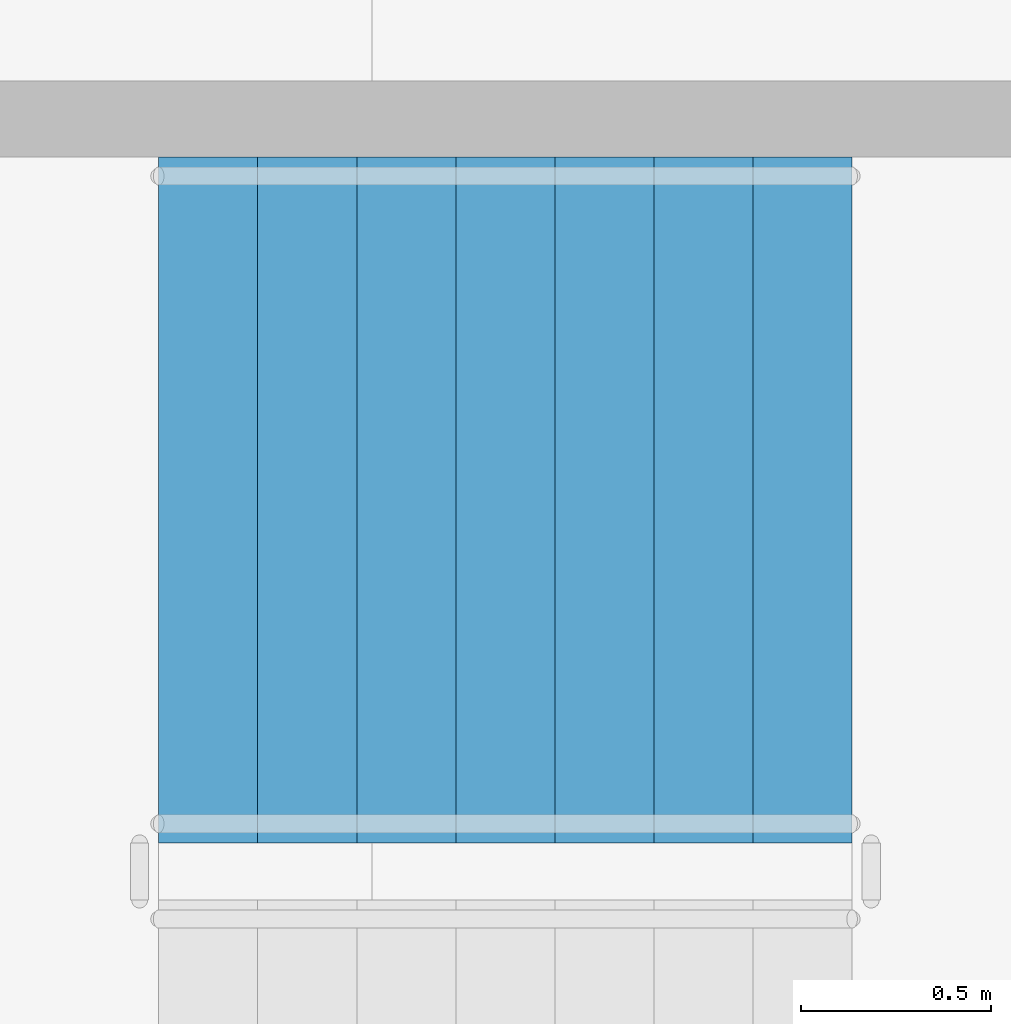
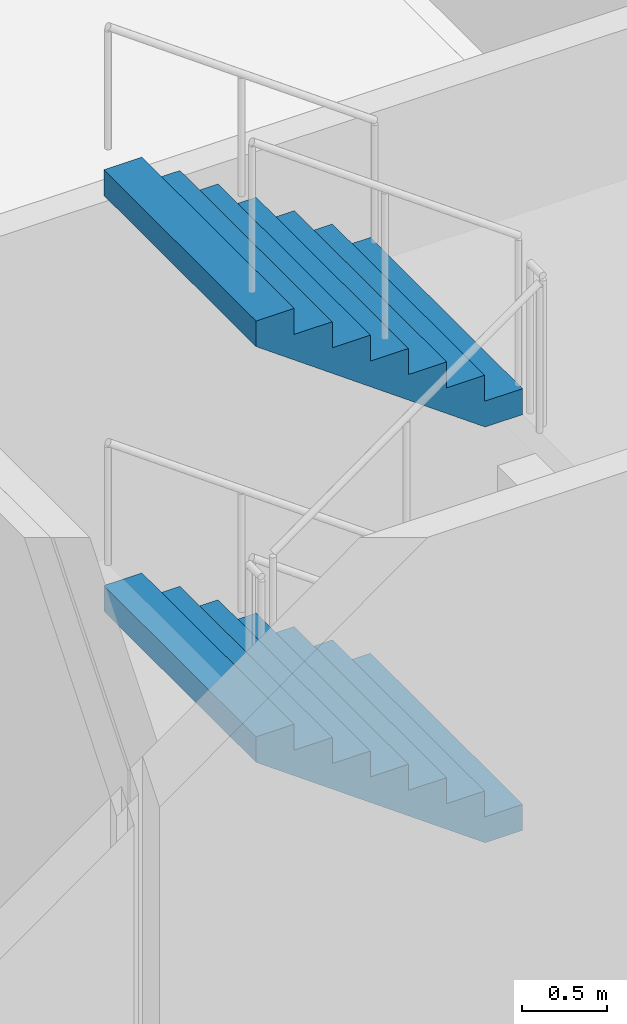
# One storey, part 63 of 75: 2 stair flights, 1 element without a shape of its own.
"""IFC4 building model written with IfcOpenShell, lengths in metres."""

from ifc_helpers import new_model, si_unit, direction, frame, origin, place, context, subcontext, project, spatial, faceted_brep, material, type_object, element, aggregate, save


model = new_model("IFC4")

# Units and contexts
model_context = context("Model", 3, precision=1e-05, world=origin(), true_north=direction((0.0, 1.0)))
body_context = subcontext(model_context, "Body", "Model", "MODEL_VIEW")
ifc_project = project(units=[si_unit("LENGTHUNIT", "METRE"), si_unit("AREAUNIT", "SQUARE_METRE"), si_unit("VOLUMEUNIT", "CUBIC_METRE"), si_unit("PLANEANGLEUNIT", "RADIAN"), si_unit("MASSUNIT", "GRAM", prefix="KILO")], contexts=[model_context])

# Site, building, storey
site_placement = place(None, origin())
site = spatial("IfcSite", under=ifc_project, at=site_placement, CompositionType="ELEMENT")
building_placement = place(site_placement, origin())
building = spatial("IfcBuilding", under=site, at=building_placement, Name="Ipe Terrace Towers", CompositionType="ELEMENT")
storey_placement = place(building_placement, origin())
storey = spatial("IfcBuildingStorey", under=building, at=storey_placement, Name="L00", CompositionType="ELEMENT", Elevation=0.0)

# Stair, stair flights
ifc_material_1 = material(Name="Concrete C30/37", Category="concrete")
stair_type = type_object("IfcStairType", Name="Protected exit stair", PredefinedType="HALF_TURN_STAIR", material=ifc_material_1)
stair_placement = place(storey_placement, origin())
stair = element("IfcStair", 1, at=stair_placement, inside=storey, type_object=stair_type, Name="L00 Podium exit stair PS8", PredefinedType="HALF_TURN_STAIR")
ifc_material_2 = material(Name="Concrete C30/37", Category="concrete")
stair_flight_type = type_object("IfcStairFlightType", Name="Exit stair flight 1800", PredefinedType="STRAIGHT", material=ifc_material_2)
stair_flight_1_placement = place(storey_placement, frame((60.510009765625, 4.449951171875, 1.5), z_axis=(0.0, 0.0, 1.0), x_axis=(-1.0, 0.0, 0.0)))
stair_flight_1 = element("IfcStairFlight", 2, at=stair_flight_1_placement, type_object=stair_flight_type, Name="PS8 flight 2", NumberOfRisers=8, NumberOfTreads=7, PredefinedType="STRAIGHT", RiserHeight=0.1875, TreadLength=0.26, context=body_context, shape_type="Brep", body=[
    faceted_brep([(0.25634765625, -0.89990234375, 0.0), (1.820068359375, -0.89990234375, 1.127685546875), (1.820068359375, -0.89990234375, 1.3125), (1.56005859375, -0.89990234375, 1.3125), (1.56005859375, -0.89990234375, 1.125), (1.300048828125, -0.89990234375, 1.125), (1.300048828125, -0.89990234375, 0.9375), (1.0400390625, -0.89990234375, 0.9375), (1.0400390625, -0.89990234375, 0.75), (0.780029296875, -0.89990234375, 0.75), (0.780029296875, -0.89990234375, 0.5625), (0.52001953125, -0.89990234375, 0.5625), (0.52001953125, -0.89990234375, 0.375), (0.260009765625, -0.89990234375, 0.375), (0.260009765625, -0.89990234375, 0.1875), (0.0, -0.89990234375, 0.1875), (0.0, -0.89990234375, 0.0), (0.0, 0.89990234375, 0.0), (0.0, 0.89990234375, 0.1875), (0.260009765625, 0.89990234375, 0.1875), (0.260009765625, 0.89990234375, 0.375), (0.52001953125, 0.89990234375, 0.375), (0.52001953125, 0.89990234375, 0.5625), (0.780029296875, 0.89990234375, 0.5625), (0.780029296875, 0.89990234375, 0.75), (1.0400390625, 0.89990234375, 0.75), (1.0400390625, 0.89990234375, 0.9375), (1.300048828125, 0.89990234375, 0.9375), (1.300048828125, 0.89990234375, 1.125), (1.56005859375, 0.89990234375, 1.125), (1.56005859375, 0.89990234375, 1.3125), (1.820068359375, 0.89990234375, 1.3125), (1.820068359375, 0.89990234375, 1.127685546875), (0.25634765625, 0.89990234375, 0.0), (0.0, -0.300048828125, 0.1875), (0.0, -0.1201171875, 0.1875), (0.0, -0.06005859375, 0.1875), (0.0, -0.030029296875, 0.1875), (0.0, -0.010009765625, 0.1875), (0.0, 0.0, 0.1875), (0.0, 0.010009765625, 0.1875), (0.0, 0.030029296875, 0.1875), (0.0, 0.06005859375, 0.1875), (0.0, 0.1201171875, 0.1875), (0.0, 0.300048828125, 0.1875), (0.0, 0.300048828125, 0.0), (0.0, 0.1201171875, 0.0), (0.0, 0.06005859375, 0.0), (0.0, 0.030029296875, 0.0), (0.0, 0.010009765625, 0.0), (0.0, 0.0, 0.0), (0.0, -0.010009765625, 0.0), (0.0, -0.030029296875, 0.0), (0.0, -0.06005859375, 0.0), (0.0, -0.1201171875, 0.0), (0.0, -0.300048828125, 0.0), (0.260009765625, -0.300048828125, 0.1875), (0.260009765625, -0.1201171875, 0.1875), (0.260009765625, -0.06005859375, 0.1875), (0.260009765625, -0.030029296875, 0.1875), (0.260009765625, -0.010009765625, 0.1875), (0.260009765625, 0.0, 0.1875), (0.260009765625, 0.010009765625, 0.1875), (0.260009765625, 0.030029296875, 0.1875), (0.260009765625, 0.06005859375, 0.1875), (0.260009765625, 0.1201171875, 0.1875), (0.260009765625, 0.300048828125, 0.1875), (0.260009765625, -0.300048828125, 0.375), (0.260009765625, -0.1201171875, 0.375), (0.260009765625, -0.06005859375, 0.375), (0.260009765625, -0.030029296875, 0.375), (0.260009765625, -0.010009765625, 0.375), (0.260009765625, 0.0, 0.375), (0.260009765625, 0.010009765625, 0.375), (0.260009765625, 0.030029296875, 0.375), (0.260009765625, 0.06005859375, 0.375), (0.260009765625, 0.1201171875, 0.375), (0.260009765625, 0.300048828125, 0.375), (0.52001953125, -0.300048828125, 0.375), (0.52001953125, -0.1201171875, 0.375), (0.52001953125, -0.06005859375, 0.375), (0.52001953125, -0.030029296875, 0.375), (0.52001953125, -0.010009765625, 0.375), (0.52001953125, 0.0, 0.375), (0.52001953125, 0.010009765625, 0.375), (0.52001953125, 0.030029296875, 0.375), (0.52001953125, 0.06005859375, 0.375), (0.52001953125, 0.1201171875, 0.375), (0.52001953125, 0.300048828125, 0.375), (0.52001953125, -0.300048828125, 0.5625), (0.52001953125, -0.1201171875, 0.5625), (0.52001953125, -0.06005859375, 0.5625), (0.52001953125, -0.030029296875, 0.5625), (0.52001953125, -0.010009765625, 0.5625), (0.52001953125, 0.0, 0.5625), (0.52001953125, 0.010009765625, 0.5625), (0.52001953125, 0.030029296875, 0.5625), (0.52001953125, 0.06005859375, 0.5625), (0.52001953125, 0.1201171875, 0.5625), (0.52001953125, 0.300048828125, 0.5625), (0.780029296875, -0.300048828125, 0.5625), (0.780029296875, -0.1201171875, 0.5625), (0.780029296875, -0.06005859375, 0.5625), (0.780029296875, -0.030029296875, 0.5625), (0.780029296875, -0.010009765625, 0.5625), (0.780029296875, 0.0, 0.5625), (0.780029296875, 0.010009765625, 0.5625), (0.780029296875, 0.030029296875, 0.5625), (0.780029296875, 0.06005859375, 0.5625), (0.780029296875, 0.1201171875, 0.5625), (0.780029296875, 0.300048828125, 0.5625), (0.780029296875, -0.300048828125, 0.75), (0.780029296875, -0.1201171875, 0.75), (0.780029296875, -0.06005859375, 0.75), (0.780029296875, -0.030029296875, 0.75), (0.780029296875, -0.010009765625, 0.75), (0.780029296875, 0.0, 0.75), (0.780029296875, 0.010009765625, 0.75), (0.780029296875, 0.030029296875, 0.75), (0.780029296875, 0.06005859375, 0.75), (0.780029296875, 0.1201171875, 0.75), (0.780029296875, 0.300048828125, 0.75), (1.0400390625, -0.300048828125, 0.75), (1.0400390625, -0.1201171875, 0.75), (1.0400390625, -0.06005859375, 0.75), (1.0400390625, -0.030029296875, 0.75), (1.0400390625, -0.010009765625, 0.75), (1.0400390625, 0.0, 0.75), (1.0400390625, 0.010009765625, 0.75), (1.0400390625, 0.030029296875, 0.75), (1.0400390625, 0.06005859375, 0.75), (1.0400390625, 0.1201171875, 0.75), (1.0400390625, 0.300048828125, 0.75), (1.0400390625, -0.300048828125, 0.9375), (1.0400390625, -0.1201171875, 0.9375), (1.0400390625, -0.06005859375, 0.9375), (1.0400390625, -0.030029296875, 0.9375), (1.0400390625, -0.010009765625, 0.9375), (1.0400390625, 0.0, 0.9375), (1.0400390625, 0.010009765625, 0.9375), (1.0400390625, 0.030029296875, 0.9375), (1.0400390625, 0.06005859375, 0.9375), (1.0400390625, 0.1201171875, 0.9375), (1.0400390625, 0.300048828125, 0.9375), (1.300048828125, -0.300048828125, 0.9375), (1.300048828125, -0.1201171875, 0.9375), (1.300048828125, -0.06005859375, 0.9375), (1.300048828125, -0.030029296875, 0.9375), (1.300048828125, -0.010009765625, 0.9375), (1.300048828125, 0.0, 0.9375), (1.300048828125, 0.010009765625, 0.9375), (1.300048828125, 0.030029296875, 0.9375), (1.300048828125, 0.06005859375, 0.9375), (1.300048828125, 0.1201171875, 0.9375), (1.300048828125, 0.300048828125, 0.9375), (1.300048828125, -0.300048828125, 1.125), (1.300048828125, -0.1201171875, 1.125), (1.300048828125, -0.06005859375, 1.125), (1.300048828125, -0.030029296875, 1.125), (1.300048828125, -0.010009765625, 1.125), (1.300048828125, 0.0, 1.125), (1.300048828125, 0.010009765625, 1.125), (1.300048828125, 0.030029296875, 1.125), (1.300048828125, 0.06005859375, 1.125), (1.300048828125, 0.1201171875, 1.125), (1.300048828125, 0.300048828125, 1.125), (1.56005859375, -0.300048828125, 1.125), (1.56005859375, -0.1201171875, 1.125), (1.56005859375, -0.06005859375, 1.125), (1.56005859375, -0.030029296875, 1.125), (1.56005859375, -0.010009765625, 1.125), (1.56005859375, 0.0, 1.125), (1.56005859375, 0.010009765625, 1.125), (1.56005859375, 0.030029296875, 1.125), (1.56005859375, 0.06005859375, 1.125), (1.56005859375, 0.1201171875, 1.125), (1.56005859375, 0.300048828125, 1.125), (1.56005859375, -0.300048828125, 1.3125), (1.56005859375, -0.1201171875, 1.3125), (1.56005859375, -0.06005859375, 1.3125), (1.56005859375, -0.030029296875, 1.3125), (1.56005859375, -0.010009765625, 1.3125), (1.56005859375, 0.0, 1.3125), (1.56005859375, 0.010009765625, 1.3125), (1.56005859375, 0.030029296875, 1.3125), (1.56005859375, 0.06005859375, 1.3125), (1.56005859375, 0.1201171875, 1.3125), (1.56005859375, 0.300048828125, 1.3125), (1.820068359375, -0.300048828125, 1.3125), (1.820068359375, -0.1201171875, 1.3125), (1.820068359375, -0.06005859375, 1.3125), (1.820068359375, -0.030029296875, 1.3125), (1.820068359375, -0.010009765625, 1.3125), (1.820068359375, 0.0, 1.3125), (1.820068359375, 0.010009765625, 1.3125), (1.820068359375, 0.030029296875, 1.3125), (1.820068359375, 0.06005859375, 1.3125), (1.820068359375, 0.1201171875, 1.3125), (1.820068359375, 0.300048828125, 1.3125), (1.820068359375, -0.300048828125, 1.127685546875), (1.820068359375, -0.1201171875, 1.127685546875), (1.820068359375, -0.06005859375, 1.127685546875), (1.820068359375, -0.030029296875, 1.127685546875), (1.820068359375, -0.010009765625, 1.127685546875), (1.820068359375, 0.0, 1.127685546875), (1.820068359375, 0.010009765625, 1.127685546875), (1.820068359375, 0.030029296875, 1.127685546875), (1.820068359375, 0.06005859375, 1.127685546875), (1.820068359375, 0.1201171875, 1.127685546875), (1.820068359375, 0.300048828125, 1.127685546875), (0.25634765625, -0.300048828125, 0.0), (0.25634765625, -0.1201171875, 0.0), (0.25634765625, -0.06005859375, 0.0), (0.25634765625, -0.030029296875, 0.0), (0.25634765625, -0.010009765625, 0.0), (0.25634765625, 0.0, 0.0), (0.25634765625, 0.010009765625, 0.0), (0.25634765625, 0.030029296875, 0.0), (0.25634765625, 0.06005859375, 0.0), (0.25634765625, 0.1201171875, 0.0), (0.25634765625, 0.300048828125, 0.0)], [[[0, 1, 2, 3, 4, 5, 6, 7, 8, 9, 10, 11, 12, 13, 14, 15, 16]], [[17, 18, 19, 20, 21, 22, 23, 24, 25, 26, 27, 28, 29, 30, 31, 32, 33]], [[15, 34, 35, 36, 37, 38, 39, 40, 41, 42, 43, 44, 18, 17, 45, 46, 47, 48, 49, 50, 51, 52, 53, 54, 55, 16]], [[14, 56, 57, 58, 59, 60, 61, 62, 63, 64, 65, 66, 19, 18, 44, 43, 42, 41, 40, 39, 38, 37, 36, 35, 34, 15]], [[13, 67, 68, 69, 70, 71, 72, 73, 74, 75, 76, 77, 20, 19, 66, 65, 64, 63, 62, 61, 60, 59, 58, 57, 56, 14]], [[12, 78, 79, 80, 81, 82, 83, 84, 85, 86, 87, 88, 21, 20, 77, 76, 75, 74, 73, 72, 71, 70, 69, 68, 67, 13]], [[11, 89, 90, 91, 92, 93, 94, 95, 96, 97, 98, 99, 22, 21, 88, 87, 86, 85, 84, 83, 82, 81, 80, 79, 78, 12]], [[10, 100, 101, 102, 103, 104, 105, 106, 107, 108, 109, 110, 23, 22, 99, 98, 97, 96, 95, 94, 93, 92, 91, 90, 89, 11]], [[9, 111, 112, 113, 114, 115, 116, 117, 118, 119, 120, 121, 24, 23, 110, 109, 108, 107, 106, 105, 104, 103, 102, 101, 100, 10]], [[8, 122, 123, 124, 125, 126, 127, 128, 129, 130, 131, 132, 25, 24, 121, 120, 119, 118, 117, 116, 115, 114, 113, 112, 111, 9]], [[7, 133, 134, 135, 136, 137, 138, 139, 140, 141, 142, 143, 26, 25, 132, 131, 130, 129, 128, 127, 126, 125, 124, 123, 122, 8]], [[6, 144, 145, 146, 147, 148, 149, 150, 151, 152, 153, 154, 27, 26, 143, 142, 141, 140, 139, 138, 137, 136, 135, 134, 133, 7]], [[5, 155, 156, 157, 158, 159, 160, 161, 162, 163, 164, 165, 28, 27, 154, 153, 152, 151, 150, 149, 148, 147, 146, 145, 144, 6]], [[4, 166, 167, 168, 169, 170, 171, 172, 173, 174, 175, 176, 29, 28, 165, 164, 163, 162, 161, 160, 159, 158, 157, 156, 155, 5]], [[3, 177, 178, 179, 180, 181, 182, 183, 184, 185, 186, 187, 30, 29, 176, 175, 174, 173, 172, 171, 170, 169, 168, 167, 166, 4]], [[2, 188, 189, 190, 191, 192, 193, 194, 195, 196, 197, 198, 31, 30, 187, 186, 185, 184, 183, 182, 181, 180, 179, 178, 177, 3]], [[1, 199, 200, 201, 202, 203, 204, 205, 206, 207, 208, 209, 32, 31, 198, 197, 196, 195, 194, 193, 192, 191, 190, 189, 188, 2]], [[0, 210, 211, 212, 213, 214, 215, 216, 217, 218, 219, 220, 33, 32, 209, 208, 207, 206, 205, 204, 203, 202, 201, 200, 199, 1]], [[16, 55, 54, 53, 52, 51, 50, 49, 48, 47, 46, 45, 17, 33, 220, 219, 218, 217, 216, 215, 214, 213, 212, 211, 210, 0]]]),
])
stair_flight_2_placement = place(storey_placement, frame((60.510009765625, 4.449951171875, 4.5), z_axis=(0.0, 0.0, 1.0), x_axis=(-1.0, 0.0, 0.0)))
stair_flight_2 = element("IfcStairFlight", 3, at=stair_flight_2_placement, type_object=stair_flight_type, Name="PS8 flight 4", NumberOfRisers=8, NumberOfTreads=7, PredefinedType="STRAIGHT", RiserHeight=0.1875, TreadLength=0.26, context=body_context, shape_type="Brep", body=[
    faceted_brep([(0.25634765625, -0.89990234375, 0.0), (1.820068359375, -0.89990234375, 1.127685546875), (1.820068359375, -0.89990234375, 1.3125), (1.56005859375, -0.89990234375, 1.3125), (1.56005859375, -0.89990234375, 1.125), (1.300048828125, -0.89990234375, 1.125), (1.300048828125, -0.89990234375, 0.9375), (1.0400390625, -0.89990234375, 0.9375), (1.0400390625, -0.89990234375, 0.75), (0.780029296875, -0.89990234375, 0.75), (0.780029296875, -0.89990234375, 0.5625), (0.52001953125, -0.89990234375, 0.5625), (0.52001953125, -0.89990234375, 0.375), (0.260009765625, -0.89990234375, 0.375), (0.260009765625, -0.89990234375, 0.1875), (0.0, -0.89990234375, 0.1875), (0.0, -0.89990234375, 0.0), (0.0, 0.89990234375, 0.0), (0.0, 0.89990234375, 0.1875), (0.260009765625, 0.89990234375, 0.1875), (0.260009765625, 0.89990234375, 0.375), (0.52001953125, 0.89990234375, 0.375), (0.52001953125, 0.89990234375, 0.5625), (0.780029296875, 0.89990234375, 0.5625), (0.780029296875, 0.89990234375, 0.75), (1.0400390625, 0.89990234375, 0.75), (1.0400390625, 0.89990234375, 0.9375), (1.300048828125, 0.89990234375, 0.9375), (1.300048828125, 0.89990234375, 1.125), (1.56005859375, 0.89990234375, 1.125), (1.56005859375, 0.89990234375, 1.3125), (1.820068359375, 0.89990234375, 1.3125), (1.820068359375, 0.89990234375, 1.127685546875), (0.25634765625, 0.89990234375, 0.0), (0.0, -0.300048828125, 0.1875), (0.0, -0.1201171875, 0.1875), (0.0, -0.06005859375, 0.1875), (0.0, -0.030029296875, 0.1875), (0.0, -0.010009765625, 0.1875), (0.0, 0.0, 0.1875), (0.0, 0.010009765625, 0.1875), (0.0, 0.030029296875, 0.1875), (0.0, 0.06005859375, 0.1875), (0.0, 0.1201171875, 0.1875), (0.0, 0.300048828125, 0.1875), (0.0, 0.300048828125, 0.0), (0.0, 0.1201171875, 0.0), (0.0, 0.06005859375, 0.0), (0.0, 0.030029296875, 0.0), (0.0, 0.010009765625, 0.0), (0.0, 0.0, 0.0), (0.0, -0.010009765625, 0.0), (0.0, -0.030029296875, 0.0), (0.0, -0.06005859375, 0.0), (0.0, -0.1201171875, 0.0), (0.0, -0.300048828125, 0.0), (0.260009765625, -0.300048828125, 0.1875), (0.260009765625, -0.1201171875, 0.1875), (0.260009765625, -0.06005859375, 0.1875), (0.260009765625, -0.030029296875, 0.1875), (0.260009765625, -0.010009765625, 0.1875), (0.260009765625, 0.0, 0.1875), (0.260009765625, 0.010009765625, 0.1875), (0.260009765625, 0.030029296875, 0.1875), (0.260009765625, 0.06005859375, 0.1875), (0.260009765625, 0.1201171875, 0.1875), (0.260009765625, 0.300048828125, 0.1875), (0.260009765625, -0.300048828125, 0.375), (0.260009765625, -0.1201171875, 0.375), (0.260009765625, -0.06005859375, 0.375), (0.260009765625, -0.030029296875, 0.375), (0.260009765625, -0.010009765625, 0.375), (0.260009765625, 0.0, 0.375), (0.260009765625, 0.010009765625, 0.375), (0.260009765625, 0.030029296875, 0.375), (0.260009765625, 0.06005859375, 0.375), (0.260009765625, 0.1201171875, 0.375), (0.260009765625, 0.300048828125, 0.375), (0.52001953125, -0.300048828125, 0.375), (0.52001953125, -0.1201171875, 0.375), (0.52001953125, -0.06005859375, 0.375), (0.52001953125, -0.030029296875, 0.375), (0.52001953125, -0.010009765625, 0.375), (0.52001953125, 0.0, 0.375), (0.52001953125, 0.010009765625, 0.375), (0.52001953125, 0.030029296875, 0.375), (0.52001953125, 0.06005859375, 0.375), (0.52001953125, 0.1201171875, 0.375), (0.52001953125, 0.300048828125, 0.375), (0.52001953125, -0.300048828125, 0.5625), (0.52001953125, -0.1201171875, 0.5625), (0.52001953125, -0.06005859375, 0.5625), (0.52001953125, -0.030029296875, 0.5625), (0.52001953125, -0.010009765625, 0.5625), (0.52001953125, 0.0, 0.5625), (0.52001953125, 0.010009765625, 0.5625), (0.52001953125, 0.030029296875, 0.5625), (0.52001953125, 0.06005859375, 0.5625), (0.52001953125, 0.1201171875, 0.5625), (0.52001953125, 0.300048828125, 0.5625), (0.780029296875, -0.300048828125, 0.5625), (0.780029296875, -0.1201171875, 0.5625), (0.780029296875, -0.06005859375, 0.5625), (0.780029296875, -0.030029296875, 0.5625), (0.780029296875, -0.010009765625, 0.5625), (0.780029296875, 0.0, 0.5625), (0.780029296875, 0.010009765625, 0.5625), (0.780029296875, 0.030029296875, 0.5625), (0.780029296875, 0.06005859375, 0.5625), (0.780029296875, 0.1201171875, 0.5625), (0.780029296875, 0.300048828125, 0.5625), (0.780029296875, -0.300048828125, 0.75), (0.780029296875, -0.1201171875, 0.75), (0.780029296875, -0.06005859375, 0.75), (0.780029296875, -0.030029296875, 0.75), (0.780029296875, -0.010009765625, 0.75), (0.780029296875, 0.0, 0.75), (0.780029296875, 0.010009765625, 0.75), (0.780029296875, 0.030029296875, 0.75), (0.780029296875, 0.06005859375, 0.75), (0.780029296875, 0.1201171875, 0.75), (0.780029296875, 0.300048828125, 0.75), (1.0400390625, -0.300048828125, 0.75), (1.0400390625, -0.1201171875, 0.75), (1.0400390625, -0.06005859375, 0.75), (1.0400390625, -0.030029296875, 0.75), (1.0400390625, -0.010009765625, 0.75), (1.0400390625, 0.0, 0.75), (1.0400390625, 0.010009765625, 0.75), (1.0400390625, 0.030029296875, 0.75), (1.0400390625, 0.06005859375, 0.75), (1.0400390625, 0.1201171875, 0.75), (1.0400390625, 0.300048828125, 0.75), (1.0400390625, -0.300048828125, 0.9375), (1.0400390625, -0.1201171875, 0.9375), (1.0400390625, -0.06005859375, 0.9375), (1.0400390625, -0.030029296875, 0.9375), (1.0400390625, -0.010009765625, 0.9375), (1.0400390625, 0.0, 0.9375), (1.0400390625, 0.010009765625, 0.9375), (1.0400390625, 0.030029296875, 0.9375), (1.0400390625, 0.06005859375, 0.9375), (1.0400390625, 0.1201171875, 0.9375), (1.0400390625, 0.300048828125, 0.9375), (1.300048828125, -0.300048828125, 0.9375), (1.300048828125, -0.1201171875, 0.9375), (1.300048828125, -0.06005859375, 0.9375), (1.300048828125, -0.030029296875, 0.9375), (1.300048828125, -0.010009765625, 0.9375), (1.300048828125, 0.0, 0.9375), (1.300048828125, 0.010009765625, 0.9375), (1.300048828125, 0.030029296875, 0.9375), (1.300048828125, 0.06005859375, 0.9375), (1.300048828125, 0.1201171875, 0.9375), (1.300048828125, 0.300048828125, 0.9375), (1.300048828125, -0.300048828125, 1.125), (1.300048828125, -0.1201171875, 1.125), (1.300048828125, -0.06005859375, 1.125), (1.300048828125, -0.030029296875, 1.125), (1.300048828125, -0.010009765625, 1.125), (1.300048828125, 0.0, 1.125), (1.300048828125, 0.010009765625, 1.125), (1.300048828125, 0.030029296875, 1.125), (1.300048828125, 0.06005859375, 1.125), (1.300048828125, 0.1201171875, 1.125), (1.300048828125, 0.300048828125, 1.125), (1.56005859375, -0.300048828125, 1.125), (1.56005859375, -0.1201171875, 1.125), (1.56005859375, -0.06005859375, 1.125), (1.56005859375, -0.030029296875, 1.125), (1.56005859375, -0.010009765625, 1.125), (1.56005859375, 0.0, 1.125), (1.56005859375, 0.010009765625, 1.125), (1.56005859375, 0.030029296875, 1.125), (1.56005859375, 0.06005859375, 1.125), (1.56005859375, 0.1201171875, 1.125), (1.56005859375, 0.300048828125, 1.125), (1.56005859375, -0.300048828125, 1.3125), (1.56005859375, -0.1201171875, 1.3125), (1.56005859375, -0.06005859375, 1.3125), (1.56005859375, -0.030029296875, 1.3125), (1.56005859375, -0.010009765625, 1.3125), (1.56005859375, 0.0, 1.3125), (1.56005859375, 0.010009765625, 1.3125), (1.56005859375, 0.030029296875, 1.3125), (1.56005859375, 0.06005859375, 1.3125), (1.56005859375, 0.1201171875, 1.3125), (1.56005859375, 0.300048828125, 1.3125), (1.820068359375, -0.300048828125, 1.3125), (1.820068359375, -0.1201171875, 1.3125), (1.820068359375, -0.06005859375, 1.3125), (1.820068359375, -0.030029296875, 1.3125), (1.820068359375, -0.010009765625, 1.3125), (1.820068359375, 0.0, 1.3125), (1.820068359375, 0.010009765625, 1.3125), (1.820068359375, 0.030029296875, 1.3125), (1.820068359375, 0.06005859375, 1.3125), (1.820068359375, 0.1201171875, 1.3125), (1.820068359375, 0.300048828125, 1.3125), (1.820068359375, -0.300048828125, 1.127685546875), (1.820068359375, -0.1201171875, 1.127685546875), (1.820068359375, -0.06005859375, 1.127685546875), (1.820068359375, -0.030029296875, 1.127685546875), (1.820068359375, -0.010009765625, 1.127685546875), (1.820068359375, 0.0, 1.127685546875), (1.820068359375, 0.010009765625, 1.127685546875), (1.820068359375, 0.030029296875, 1.127685546875), (1.820068359375, 0.06005859375, 1.127685546875), (1.820068359375, 0.1201171875, 1.127685546875), (1.820068359375, 0.300048828125, 1.127685546875), (0.25634765625, -0.300048828125, 0.0), (0.25634765625, -0.1201171875, 0.0), (0.25634765625, -0.06005859375, 0.0), (0.25634765625, -0.030029296875, 0.0), (0.25634765625, -0.010009765625, 0.0), (0.25634765625, 0.0, 0.0), (0.25634765625, 0.010009765625, 0.0), (0.25634765625, 0.030029296875, 0.0), (0.25634765625, 0.06005859375, 0.0), (0.25634765625, 0.1201171875, 0.0), (0.25634765625, 0.300048828125, 0.0)], [[[0, 1, 2, 3, 4, 5, 6, 7, 8, 9, 10, 11, 12, 13, 14, 15, 16]], [[17, 18, 19, 20, 21, 22, 23, 24, 25, 26, 27, 28, 29, 30, 31, 32, 33]], [[15, 34, 35, 36, 37, 38, 39, 40, 41, 42, 43, 44, 18, 17, 45, 46, 47, 48, 49, 50, 51, 52, 53, 54, 55, 16]], [[14, 56, 57, 58, 59, 60, 61, 62, 63, 64, 65, 66, 19, 18, 44, 43, 42, 41, 40, 39, 38, 37, 36, 35, 34, 15]], [[13, 67, 68, 69, 70, 71, 72, 73, 74, 75, 76, 77, 20, 19, 66, 65, 64, 63, 62, 61, 60, 59, 58, 57, 56, 14]], [[12, 78, 79, 80, 81, 82, 83, 84, 85, 86, 87, 88, 21, 20, 77, 76, 75, 74, 73, 72, 71, 70, 69, 68, 67, 13]], [[11, 89, 90, 91, 92, 93, 94, 95, 96, 97, 98, 99, 22, 21, 88, 87, 86, 85, 84, 83, 82, 81, 80, 79, 78, 12]], [[10, 100, 101, 102, 103, 104, 105, 106, 107, 108, 109, 110, 23, 22, 99, 98, 97, 96, 95, 94, 93, 92, 91, 90, 89, 11]], [[9, 111, 112, 113, 114, 115, 116, 117, 118, 119, 120, 121, 24, 23, 110, 109, 108, 107, 106, 105, 104, 103, 102, 101, 100, 10]], [[8, 122, 123, 124, 125, 126, 127, 128, 129, 130, 131, 132, 25, 24, 121, 120, 119, 118, 117, 116, 115, 114, 113, 112, 111, 9]], [[7, 133, 134, 135, 136, 137, 138, 139, 140, 141, 142, 143, 26, 25, 132, 131, 130, 129, 128, 127, 126, 125, 124, 123, 122, 8]], [[6, 144, 145, 146, 147, 148, 149, 150, 151, 152, 153, 154, 27, 26, 143, 142, 141, 140, 139, 138, 137, 136, 135, 134, 133, 7]], [[5, 155, 156, 157, 158, 159, 160, 161, 162, 163, 164, 165, 28, 27, 154, 153, 152, 151, 150, 149, 148, 147, 146, 145, 144, 6]], [[4, 166, 167, 168, 169, 170, 171, 172, 173, 174, 175, 176, 29, 28, 165, 164, 163, 162, 161, 160, 159, 158, 157, 156, 155, 5]], [[3, 177, 178, 179, 180, 181, 182, 183, 184, 185, 186, 187, 30, 29, 176, 175, 174, 173, 172, 171, 170, 169, 168, 167, 166, 4]], [[2, 188, 189, 190, 191, 192, 193, 194, 195, 196, 197, 198, 31, 30, 187, 186, 185, 184, 183, 182, 181, 180, 179, 178, 177, 3]], [[1, 199, 200, 201, 202, 203, 204, 205, 206, 207, 208, 209, 32, 31, 198, 197, 196, 195, 194, 193, 192, 191, 190, 189, 188, 2]], [[0, 210, 211, 212, 213, 214, 215, 216, 217, 218, 219, 220, 33, 32, 209, 208, 207, 206, 205, 204, 203, 202, 201, 200, 199, 1]], [[16, 55, 54, 53, 52, 51, 50, 49, 48, 47, 46, 45, 17, 33, 220, 219, 218, 217, 216, 215, 214, 213, 212, 211, 210, 0]]]),
])
aggregate(stair, [stair_flight_1, stair_flight_2])

save(model, "model.ifc")
